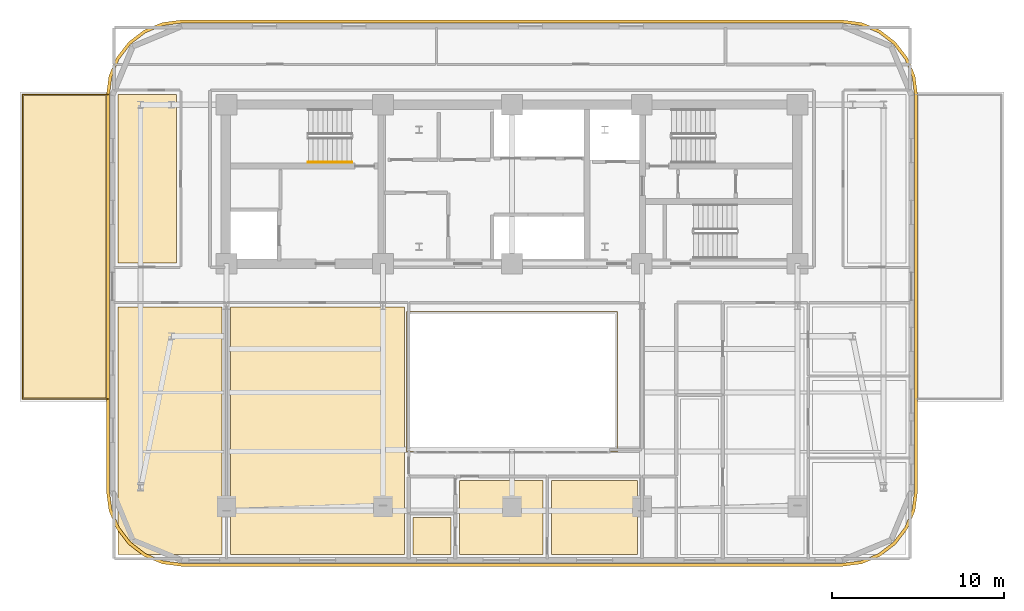
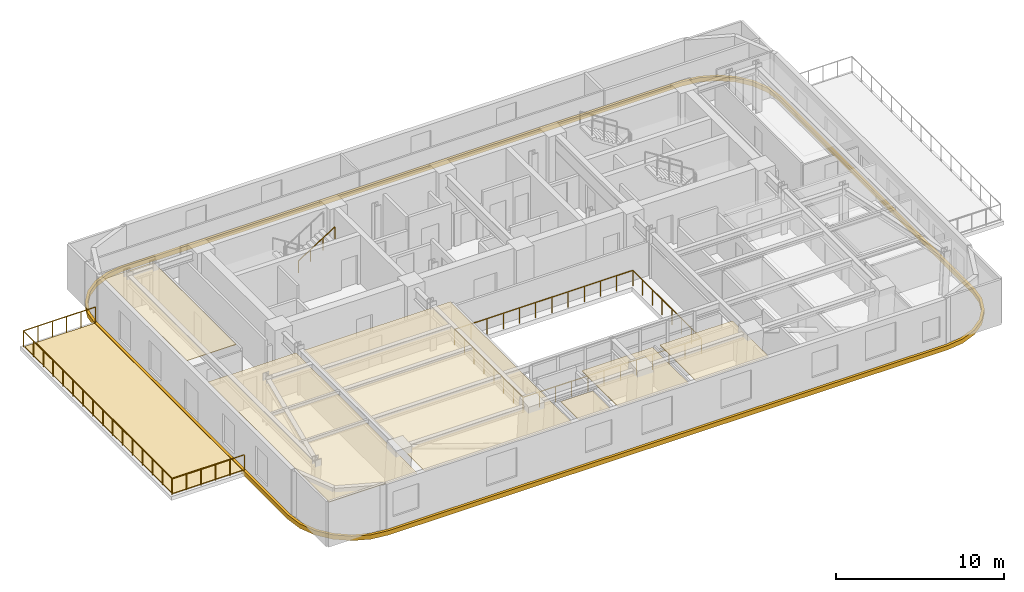
# One storey, part 11 of 13: 8 coverings, 3 railings.
"""IFC4 building model written with IfcOpenShell, lengths in metres."""

from ifc_helpers import new_model, si_unit, direction, frame, origin, origin_2d, place, context, subcontext, project, spatial, polyline, rectangle, outline, extrude, material, layer, layer_set, type_object, element, save


model = new_model("IFC4")

# Units and contexts
model_context = context("Model", 3, precision=1e-05, world=origin(), true_north=direction((0.0, 1.0)))
body_context = subcontext(model_context, "Body", "Model", "MODEL_VIEW")
ifc_project = project(units=[si_unit("LENGTHUNIT", "METRE"), si_unit("AREAUNIT", "SQUARE_METRE"), si_unit("VOLUMEUNIT", "CUBIC_METRE"), si_unit("PLANEANGLEUNIT", "RADIAN"), si_unit("MASSUNIT", "GRAM", prefix="KILO")], contexts=[model_context])

# Site, building, storey
site_placement = place(None, origin())
site = spatial("IfcSite", under=ifc_project, at=site_placement, CompositionType="ELEMENT")
building_placement = place(site_placement, origin())
building = spatial("IfcBuilding", under=site, at=building_placement, Name="Zarnavel Station Tower", CompositionType="ELEMENT")
storey_placement = place(building_placement, frame((0.0, 0.0, 137.699951171875)))
storey = spatial("IfcBuildingStorey", under=building, at=storey_placement, Name="L37", CompositionType="ELEMENT", Elevation=137.699951171875)

# Coverings
ifc_material_1 = material(Name="Perforated Gypsum and Mineral-Wool Acoustic Ceiling", Category="concrete")
ifc_layer_1 = layer(ifc_material_1, 0.0400390625)
ifc_layer_set_1 = layer_set([ifc_layer_1], Name="COV_CEIL_ACOUSTIC")
covering_type_1 = type_object("IfcCoveringType", Name="COV_CEIL_ACOUSTIC", PredefinedType="CEILING", material=ifc_layer_set_1)
covering_1_placement = place(storey_placement, frame((0.0, 0.0, 2.969970703125)))
element("IfcCovering", 1, at=covering_1_placement, inside=storey, type_object=covering_type_1, Name="L37 FNW Acoustic Ceiling", PredefinedType="CEILING", context=body_context, shape_type="SweptSolid", body=[
    extrude(outline(polyline([(5.909912109375, 27.85009765625), (9.300048828125, 27.85009765625), (9.300048828125, 37.64990234375), (5.909912109375, 37.64990234375), (5.909912109375, 27.85009765625)])), origin(), (0.0, 0.0, 1.0), 0.0400390625),
])
covering_2_placement = place(storey_placement, frame((0.0, 0.0, 2.969970703125)))
element("IfcCovering", 2, at=covering_2_placement, inside=storey, type_object=covering_type_1, Name="L37 L37CLB Acoustic Ceiling", PredefinedType="CEILING", context=body_context, shape_type="SweptSolid", body=[
    extrude(outline(polyline([(5.909912109375, 10.909912109375), (11.949951171875, 10.909912109375), (11.949951171875, 25.300048828125), (5.909912109375, 25.300048828125), (5.909912109375, 10.909912109375)])), origin(), (0.0, 0.0, 1.0), 0.0400390625),
])
covering_3_placement = place(storey_placement, frame((0.0, 0.0, 2.969970703125)))
element("IfcCovering", 3, at=covering_3_placement, inside=storey, type_object=covering_type_1, Name="L37 L37GYM Acoustic Ceiling", PredefinedType="CEILING", context=body_context, shape_type="SweptSolid", body=[
    extrude(outline(polyline([(12.449951171875, 10.909912109375), (22.550048828125, 10.909912109375), (22.550048828125, 25.300048828125), (12.449951171875, 25.300048828125), (12.449951171875, 10.909912109375)])), origin(), (0.0, 0.0, 1.0), 0.0400390625),
])
covering_4_placement = place(storey_placement, frame((0.0, 0.0, 2.969970703125)))
element("IfcCovering", 4, at=covering_4_placement, inside=storey, type_object=covering_type_1, Name="L37 US1LV Acoustic Ceiling", PredefinedType="CEILING", context=body_context, shape_type="SweptSolid", body=[
    extrude(outline(polyline([(25.75, 10.909912109375), (30.60009765625, 10.909912109375), (30.60009765625, 15.199951171875), (25.75, 15.199951171875), (25.75, 10.909912109375)])), origin(), (0.0, 0.0, 1.0), 0.0400390625),
])
covering_5_placement = place(storey_placement, frame((0.0, 0.0, 2.969970703125)))
element("IfcCovering", 5, at=covering_5_placement, inside=storey, type_object=covering_type_1, Name="L37 US1KT Acoustic Ceiling", PredefinedType="CEILING", context=body_context, shape_type="SweptSolid", body=[
    extrude(outline(polyline([(23.050048828125, 10.909912109375), (25.25, 10.909912109375), (25.25, 13.050048828125), (23.050048828125, 13.050048828125), (23.050048828125, 10.909912109375)])), origin(), (0.0, 0.0, 1.0), 0.0400390625),
])
covering_6_placement = place(storey_placement, frame((0.0, 0.0, 2.969970703125)))
element("IfcCovering", 6, at=covering_6_placement, inside=storey, type_object=covering_type_1, Name="L37 US1B1 Acoustic Ceiling", PredefinedType="CEILING", context=body_context, shape_type="SweptSolid", body=[
    extrude(outline(polyline([(31.10009765625, 10.909912109375), (36.10009765625, 10.909912109375), (36.10009765625, 15.199951171875), (31.10009765625, 15.199951171875), (31.10009765625, 10.909912109375)])), origin(), (0.0, 0.0, 1.0), 0.0400390625),
])
ifc_material_2 = material(Name="Liquid-Applied Elastomeric Terrace Waterproofing Membrane", Category="concrete")
ifc_layer_2 = layer(ifc_material_2, 0.06005859375)
ifc_layer_set_2 = layer_set([ifc_layer_2], Name="COV_TER_MEMBRANE")
covering_type_2 = type_object("IfcCoveringType", Name="COV_TER_MEMBRANE", PredefinedType="ROOFING", material=ifc_layer_set_2)
covering_7_placement = place(storey_placement, origin())
element("IfcCovering", 7, at=covering_7_placement, inside=storey, type_object=covering_type_2, Name="L37 Terrace Paving Waterproofing TER-L37-W", PredefinedType="ROOFING", context=body_context, shape_type="SweptSolid", body=[
    extrude(outline(polyline([(0.39990234375, 20.0), (5.199951171875, 20.0), (5.199951171875, 37.60009765625), (0.39990234375, 37.60009765625), (0.39990234375, 20.0)])), origin(), (0.0, 0.0, 1.0), 0.06005859375),
])
ifc_material_3 = material(Name="Precast concrete C45/55 (Pale Travertine Slab Band)", Category="masonry")
covering_type_3 = type_object("IfcCoveringType", Name="COV_TRAVERTINE_BAND", PredefinedType="CLADDING", material=ifc_material_3)
covering_8_placement = place(storey_placement, frame((0.0, 0.0, -0.260009765625)))
element("IfcCovering", 8, at=covering_8_placement, inside=storey, type_object=covering_type_3, Name="L37 Pale Travertine Slab-Edge Band", PredefinedType="CLADDING", context=body_context, shape_type="SweptSolid", body=[
    extrude(outline(polyline([(48.0, 10.219970703125), (49.133544921875, 10.369140625), (50.18994140625, 10.806884765625), (51.09716796875, 11.5029296875), (51.793212890625, 12.409912109375), (52.230712890625, 13.46630859375), (52.3798828125, 14.60009765625), (52.3798828125, 37.60009765625), (52.230712890625, 38.733642578125), (51.793212890625, 39.7900390625), (51.09716796875, 40.697021484375), (50.18994140625, 41.393310546875), (49.133544921875, 41.830810546875), (48.0, 41.97998046875), (9.60009765625, 41.97998046875), (8.46630859375, 41.830810546875), (7.409912109375, 41.393310546875), (6.5029296875, 40.697021484375), (5.806884765625, 39.7900390625), (5.369140625, 38.733642578125), (5.219970703125, 37.60009765625), (5.219970703125, 14.60009765625), (5.369140625, 13.46630859375), (5.806884765625, 12.409912109375), (6.5029296875, 11.5029296875), (7.409912109375, 10.806884765625), (8.46630859375, 10.369140625), (9.60009765625, 10.219970703125), (48.0, 10.219970703125)]), holes=[polyline([(48.0, 10.39990234375), (49.0869140625, 10.543212890625), (50.10009765625, 10.962646484375), (50.9697265625, 11.630126953125), (51.63720703125, 12.5), (52.056884765625, 13.512939453125), (52.199951171875, 14.60009765625), (52.199951171875, 37.60009765625), (52.056884765625, 38.68701171875), (51.63720703125, 39.699951171875), (50.9697265625, 40.56982421875), (50.10009765625, 41.2373046875), (49.0869140625, 41.656982421875), (48.0, 41.800048828125), (9.60009765625, 41.800048828125), (8.512939453125, 41.656982421875), (7.5, 41.2373046875), (6.630126953125, 40.56982421875), (5.962646484375, 39.699951171875), (5.543212890625, 38.68701171875), (5.39990234375, 37.60009765625), (5.39990234375, 14.60009765625), (5.543212890625, 13.512939453125), (5.962646484375, 12.5), (6.630126953125, 11.630126953125), (7.5, 10.962646484375), (8.512939453125, 10.543212890625), (9.60009765625, 10.39990234375), (48.0, 10.39990234375)])]), origin(), (0.0, 0.0, 1.0), 0.320068359375),
])

# Railings
ifc_material_4 = material(Name="Black Coated Galvanised Steel S355J2 and Laminated Glass", Category="steel")
railing_type_1 = type_object("IfcRailingType", Name="GR_EXT_1200", PredefinedType="GUARDRAIL", material=ifc_material_4)
railing_1_placement = place(storey_placement, frame((5.300048828125, 19.949951171875, 0.0)))
element("IfcRailing", 9, at=railing_1_placement, inside=storey, type_object=railing_type_1, Name="L37 Terrace Perimeter Guard TER-L37-W", PredefinedType="GUARDRAIL", context=body_context, shape_type="SweptSolid", body=[
    extrude(rectangle(XDim=0.048095703125, YDim=0.048095703125, at=origin_2d()), frame((-0.001953125, 0.0, 1.17578125), z_axis=(-1.0, 0.0, 0.0), x_axis=(0.0, -1.0, 0.0)), (0.0, 0.0, 1.0), 4.946044921875),
    extrude(rectangle(XDim=0.048095703125, YDim=0.048095703125, at=origin_2d()), frame((-4.949951171875, 0.001953125, 1.17578125), z_axis=(0.0, 1.0, 0.0), x_axis=(-1.0, 0.0, 0.0)), (0.0, 0.0, 1.0), 17.696044921875),
    extrude(rectangle(XDim=0.048095703125, YDim=0.048095703125, at=origin_2d()), frame((-4.947998046875, 17.699951171875, 1.17578125), z_axis=(1.0, 0.0, 0.0), x_axis=(0.0, 1.0, 0.0)), (0.0, 0.0, 1.0), 4.946044921875),
    extrude(rectangle(XDim=0.0419921875, YDim=0.0419921875, at=origin_2d()), origin(), (0.0, 0.0, 1.0), 1.15185546875),
    extrude(rectangle(XDim=0.0419921875, YDim=0.0419921875, at=origin_2d()), frame((-0.989990234375, 0.0, 0.0)), (0.0, 0.0, 1.0), 1.15185546875),
    extrude(rectangle(XDim=0.0419921875, YDim=0.0419921875, at=origin_2d()), frame((-1.97998046875, 0.0, 0.0)), (0.0, 0.0, 1.0), 1.15185546875),
    extrude(rectangle(XDim=0.0419921875, YDim=0.0419921875, at=origin_2d()), frame((-2.969970703125, 0.0, 0.0)), (0.0, 0.0, 1.0), 1.15185546875),
    extrude(rectangle(XDim=0.0419921875, YDim=0.0419921875, at=origin_2d()), frame((-3.9599609375, 0.0, 0.0)), (0.0, 0.0, 1.0), 1.15185546875),
    extrude(rectangle(XDim=0.0419921875, YDim=0.0419921875, at=origin_2d()), frame((-4.949951171875, 0.0, 0.0)), (0.0, 0.0, 1.0), 1.15185546875),
    extrude(rectangle(XDim=0.0419921875, YDim=0.0419921875, at=origin_2d()), frame((-4.949951171875, 1.179931640625, 0.0)), (0.0, 0.0, 1.0), 1.15185546875),
    extrude(rectangle(XDim=0.0419921875, YDim=0.0419921875, at=origin_2d()), frame((-4.949951171875, 2.360107421875, 0.0)), (0.0, 0.0, 1.0), 1.15185546875),
    extrude(rectangle(XDim=0.0419921875, YDim=0.0419921875, at=origin_2d()), frame((-4.949951171875, 3.5400390625, 0.0)), (0.0, 0.0, 1.0), 1.15185546875),
    extrude(rectangle(XDim=0.0419921875, YDim=0.0419921875, at=origin_2d()), frame((-4.949951171875, 4.719970703125, 0.0)), (0.0, 0.0, 1.0), 1.15185546875),
    extrude(rectangle(XDim=0.0419921875, YDim=0.0419921875, at=origin_2d()), frame((-4.949951171875, 5.89990234375, 0.0)), (0.0, 0.0, 1.0), 1.15185546875),
    extrude(rectangle(XDim=0.0419921875, YDim=0.0419921875, at=origin_2d()), frame((-4.949951171875, 7.080078125, 0.0)), (0.0, 0.0, 1.0), 1.15185546875),
    extrude(rectangle(XDim=0.0419921875, YDim=0.0419921875, at=origin_2d()), frame((-4.949951171875, 8.260009765625, 0.0)), (0.0, 0.0, 1.0), 1.15185546875),
    extrude(rectangle(XDim=0.0419921875, YDim=0.0419921875, at=origin_2d()), frame((-4.949951171875, 9.43994140625, 0.0)), (0.0, 0.0, 1.0), 1.15185546875),
    extrude(rectangle(XDim=0.0419921875, YDim=0.0419921875, at=origin_2d()), frame((-4.949951171875, 10.619873046875, 0.0)), (0.0, 0.0, 1.0), 1.15185546875),
    extrude(rectangle(XDim=0.0419921875, YDim=0.0419921875, at=origin_2d()), frame((-4.949951171875, 11.800048828125, 0.0)), (0.0, 0.0, 1.0), 1.15185546875),
    extrude(rectangle(XDim=0.0419921875, YDim=0.0419921875, at=origin_2d()), frame((-4.949951171875, 12.97998046875, 0.0)), (0.0, 0.0, 1.0), 1.15185546875),
    extrude(rectangle(XDim=0.0419921875, YDim=0.0419921875, at=origin_2d()), frame((-4.949951171875, 14.159912109375, 0.0)), (0.0, 0.0, 1.0), 1.15185546875),
    extrude(rectangle(XDim=0.0419921875, YDim=0.0419921875, at=origin_2d()), frame((-4.949951171875, 15.33984375, 0.0)), (0.0, 0.0, 1.0), 1.15185546875),
    extrude(rectangle(XDim=0.0419921875, YDim=0.0419921875, at=origin_2d()), frame((-4.949951171875, 16.52001953125, 0.0)), (0.0, 0.0, 1.0), 1.15185546875),
    extrude(rectangle(XDim=0.0419921875, YDim=0.0419921875, at=origin_2d()), frame((-4.949951171875, 17.699951171875, 0.0)), (0.0, 0.0, 1.0), 1.15185546875),
    extrude(rectangle(XDim=0.0419921875, YDim=0.0419921875, at=origin_2d()), frame((-3.9599609375, 17.699951171875, 0.0)), (0.0, 0.0, 1.0), 1.15185546875),
    extrude(rectangle(XDim=0.0419921875, YDim=0.0419921875, at=origin_2d()), frame((-2.969970703125, 17.699951171875, 0.0)), (0.0, 0.0, 1.0), 1.15185546875),
    extrude(rectangle(XDim=0.0419921875, YDim=0.0419921875, at=origin_2d()), frame((-1.97998046875, 17.699951171875, 0.0)), (0.0, 0.0, 1.0), 1.15185546875),
    extrude(rectangle(XDim=0.0419921875, YDim=0.0419921875, at=origin_2d()), frame((-0.989990234375, 17.699951171875, 0.0)), (0.0, 0.0, 1.0), 1.15185546875),
    extrude(rectangle(XDim=0.0419921875, YDim=0.0419921875, at=origin_2d()), frame((0.0, 17.699951171875, 0.0)), (0.0, 0.0, 1.0), 1.15185546875),
])
ifc_material_5 = material(Name="Painted Steel S355J2 Balustrade", Category="steel")
railing_type_2 = type_object("IfcRailingType", Name="GR_INT_1150", PredefinedType="GUARDRAIL", material=ifc_material_5)
railing_2_placement = place(storey_placement, frame((22.679931640625, 16.8798828125, 0.0)))
element("IfcRailing", 10, at=railing_2_placement, inside=storey, type_object=railing_type_2, Name="L37 Atrium Void Guardrail", PredefinedType="GUARDRAIL", context=body_context, shape_type="SweptSolid", body=[
    extrude(rectangle(XDim=0.048095703125, YDim=0.048095703125, at=origin_2d()), frame((0.001953125, 0.0, 1.1259765625), z_axis=(1.0, 0.0, 0.0), x_axis=(0.0, 1.0, 0.0)), (0.0, 0.0, 1.0), 12.236083984375),
    extrude(rectangle(XDim=0.048095703125, YDim=0.048095703125, at=origin_2d()), frame((12.239990234375, 0.001953125, 1.1259765625), z_axis=(0.0, 1.0, 0.0), x_axis=(-1.0, 0.0, 0.0)), (0.0, 0.0, 1.0), 8.13623046875),
    extrude(rectangle(XDim=0.048095703125, YDim=0.048095703125, at=origin_2d()), frame((12.238037109375, 8.14013671875, 1.1259765625), z_axis=(-1.0, 0.0, 0.0), x_axis=(0.0, -1.0, 0.0)), (0.0, 0.0, 1.0), 12.236083984375),
    extrude(rectangle(XDim=0.048095703125, YDim=0.048095703125, at=origin_2d()), frame((0.0, 8.13818359375, 1.1259765625), z_axis=(0.0, -1.0, 0.0), x_axis=(1.0, 0.0, 0.0)), (0.0, 0.0, 1.0), 8.13623046875),
    extrude(rectangle(XDim=0.0419921875, YDim=0.0419921875, at=origin_2d()), origin(), (0.0, 0.0, 1.0), 1.101806640625),
    extrude(rectangle(XDim=0.0419921875, YDim=0.0419921875, at=origin_2d()), frame((1.11279296875, 0.0, 0.0)), (0.0, 0.0, 1.0), 1.101806640625),
    extrude(rectangle(XDim=0.0419921875, YDim=0.0419921875, at=origin_2d()), frame((2.225341796875, 0.0, 0.0)), (0.0, 0.0, 1.0), 1.101806640625),
    extrude(rectangle(XDim=0.0419921875, YDim=0.0419921875, at=origin_2d()), frame((3.338134765625, 0.0, 0.0)), (0.0, 0.0, 1.0), 1.101806640625),
    extrude(rectangle(XDim=0.0419921875, YDim=0.0419921875, at=origin_2d()), frame((4.450927734375, 0.0, 0.0)), (0.0, 0.0, 1.0), 1.101806640625),
    extrude(rectangle(XDim=0.0419921875, YDim=0.0419921875, at=origin_2d()), frame((5.563720703125, 0.0, 0.0)), (0.0, 0.0, 1.0), 1.101806640625),
    extrude(rectangle(XDim=0.0419921875, YDim=0.0419921875, at=origin_2d()), frame((6.67626953125, 0.0, 0.0)), (0.0, 0.0, 1.0), 1.101806640625),
    extrude(rectangle(XDim=0.0419921875, YDim=0.0419921875, at=origin_2d()), frame((7.7890625, 0.0, 0.0)), (0.0, 0.0, 1.0), 1.101806640625),
    extrude(rectangle(XDim=0.0419921875, YDim=0.0419921875, at=origin_2d()), frame((8.90185546875, 0.0, 0.0)), (0.0, 0.0, 1.0), 1.101806640625),
    extrude(rectangle(XDim=0.0419921875, YDim=0.0419921875, at=origin_2d()), frame((10.0146484375, 0.0, 0.0)), (0.0, 0.0, 1.0), 1.101806640625),
    extrude(rectangle(XDim=0.0419921875, YDim=0.0419921875, at=origin_2d()), frame((11.127197265625, 0.0, 0.0)), (0.0, 0.0, 1.0), 1.101806640625),
    extrude(rectangle(XDim=0.0419921875, YDim=0.0419921875, at=origin_2d()), frame((12.239990234375, 0.0, 0.0)), (0.0, 0.0, 1.0), 1.101806640625),
    extrude(rectangle(XDim=0.0419921875, YDim=0.0419921875, at=origin_2d()), frame((12.239990234375, 1.162841796875, 0.0)), (0.0, 0.0, 1.0), 1.101806640625),
    extrude(rectangle(XDim=0.0419921875, YDim=0.0419921875, at=origin_2d()), frame((12.239990234375, 2.32568359375, 0.0)), (0.0, 0.0, 1.0), 1.101806640625),
    extrude(rectangle(XDim=0.0419921875, YDim=0.0419921875, at=origin_2d()), frame((12.239990234375, 3.488525390625, 0.0)), (0.0, 0.0, 1.0), 1.101806640625),
    extrude(rectangle(XDim=0.0419921875, YDim=0.0419921875, at=origin_2d()), frame((12.239990234375, 4.651611328125, 0.0)), (0.0, 0.0, 1.0), 1.101806640625),
    extrude(rectangle(XDim=0.0419921875, YDim=0.0419921875, at=origin_2d()), frame((12.239990234375, 5.814453125, 0.0)), (0.0, 0.0, 1.0), 1.101806640625),
    extrude(rectangle(XDim=0.0419921875, YDim=0.0419921875, at=origin_2d()), frame((12.239990234375, 6.977294921875, 0.0)), (0.0, 0.0, 1.0), 1.101806640625),
    extrude(rectangle(XDim=0.0419921875, YDim=0.0419921875, at=origin_2d()), frame((12.239990234375, 8.14013671875, 0.0)), (0.0, 0.0, 1.0), 1.101806640625),
    extrude(rectangle(XDim=0.0419921875, YDim=0.0419921875, at=origin_2d()), frame((11.127197265625, 8.14013671875, 0.0)), (0.0, 0.0, 1.0), 1.101806640625),
    extrude(rectangle(XDim=0.0419921875, YDim=0.0419921875, at=origin_2d()), frame((10.0146484375, 8.14013671875, 0.0)), (0.0, 0.0, 1.0), 1.101806640625),
    extrude(rectangle(XDim=0.0419921875, YDim=0.0419921875, at=origin_2d()), frame((8.90185546875, 8.14013671875, 0.0)), (0.0, 0.0, 1.0), 1.101806640625),
    extrude(rectangle(XDim=0.0419921875, YDim=0.0419921875, at=origin_2d()), frame((7.7890625, 8.14013671875, 0.0)), (0.0, 0.0, 1.0), 1.101806640625),
    extrude(rectangle(XDim=0.0419921875, YDim=0.0419921875, at=origin_2d()), frame((6.67626953125, 8.14013671875, 0.0)), (0.0, 0.0, 1.0), 1.101806640625),
    extrude(rectangle(XDim=0.0419921875, YDim=0.0419921875, at=origin_2d()), frame((5.563720703125, 8.14013671875, 0.0)), (0.0, 0.0, 1.0), 1.101806640625),
    extrude(rectangle(XDim=0.0419921875, YDim=0.0419921875, at=origin_2d()), frame((4.450927734375, 8.14013671875, 0.0)), (0.0, 0.0, 1.0), 1.101806640625),
    extrude(rectangle(XDim=0.0419921875, YDim=0.0419921875, at=origin_2d()), frame((3.338134765625, 8.14013671875, 0.0)), (0.0, 0.0, 1.0), 1.101806640625),
    extrude(rectangle(XDim=0.0419921875, YDim=0.0419921875, at=origin_2d()), frame((2.225341796875, 8.14013671875, 0.0)), (0.0, 0.0, 1.0), 1.101806640625),
    extrude(rectangle(XDim=0.0419921875, YDim=0.0419921875, at=origin_2d()), frame((1.11279296875, 8.14013671875, 0.0)), (0.0, 0.0, 1.0), 1.101806640625),
    extrude(rectangle(XDim=0.0419921875, YDim=0.0419921875, at=origin_2d()), frame((0.0, 8.14013671875, 0.0)), (0.0, 0.0, 1.0), 1.101806640625),
    extrude(rectangle(XDim=0.0419921875, YDim=0.0419921875, at=origin_2d()), frame((0.0, 6.977294921875, 0.0)), (0.0, 0.0, 1.0), 1.101806640625),
    extrude(rectangle(XDim=0.0419921875, YDim=0.0419921875, at=origin_2d()), frame((0.0, 5.814453125, 0.0)), (0.0, 0.0, 1.0), 1.101806640625),
    extrude(rectangle(XDim=0.0419921875, YDim=0.0419921875, at=origin_2d()), frame((0.0, 4.651611328125, 0.0)), (0.0, 0.0, 1.0), 1.101806640625),
    extrude(rectangle(XDim=0.0419921875, YDim=0.0419921875, at=origin_2d()), frame((0.0, 3.488525390625, 0.0)), (0.0, 0.0, 1.0), 1.101806640625),
    extrude(rectangle(XDim=0.0419921875, YDim=0.0419921875, at=origin_2d()), frame((0.0, 2.32568359375, 0.0)), (0.0, 0.0, 1.0), 1.101806640625),
    extrude(rectangle(XDim=0.0419921875, YDim=0.0419921875, at=origin_2d()), frame((0.0, 1.162841796875, 0.0)), (0.0, 0.0, 1.0), 1.101806640625),
])
ifc_material_6 = material(Name="Brushed Stainless Steel S355J2 Handrail", Category="steel")
railing_type_3 = type_object("IfcRailingType", Name="HR_STAIR_900", PredefinedType="HANDRAIL", material=ifc_material_6)
railing_3_placement = place(storey_placement, frame((16.9599609375, 33.7099609375, 1.95263671875)))
element("IfcRailing", 11, at=railing_3_placement, inside=storey, type_object=railing_type_3, Name="L37 ST1 stair handrail 2", PredefinedType="HANDRAIL", context=body_context, shape_type="SweptSolid", body=[
    extrude(rectangle(XDim=0.048095703125, YDim=0.048095703125, at=origin_2d()), frame((0.001708984375, 0.0, 0.876953125), z_axis=(0.84460694969, 0.0, 0.535386869969), x_axis=(0.0, 1.0, 0.0)), (0.0, 0.0, 1.0), 2.979736328125),
    extrude(rectangle(XDim=0.0419921875, YDim=0.0419921875, at=origin_2d()), origin(), (0.0, 0.0, 1.0), 0.851806640625),
    extrude(rectangle(XDim=0.0419921875, YDim=0.0419921875, at=origin_2d()), frame((0.840087890625, 0.0, 0.532470703125)), (0.0, 0.0, 1.0), 0.851806640625),
    extrude(rectangle(XDim=0.0419921875, YDim=0.0419921875, at=origin_2d()), frame((1.679931640625, 0.0, 1.06494140625)), (0.0, 0.0, 1.0), 0.851806640625),
    extrude(rectangle(XDim=0.0419921875, YDim=0.0419921875, at=origin_2d()), frame((2.52001953125, 0.0, 1.597412109375)), (0.0, 0.0, 1.0), 0.851806640625),
])

save(model, "model.ifc")
